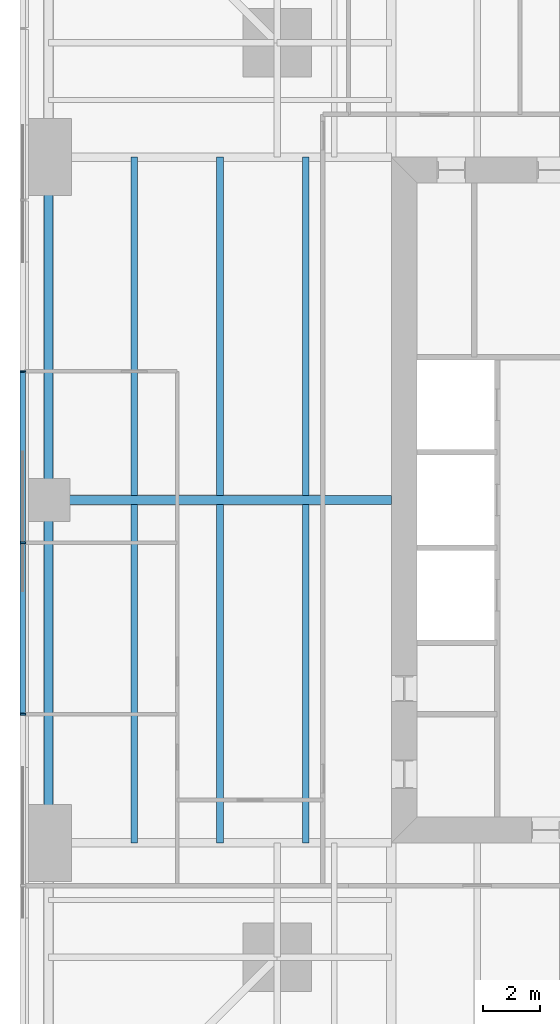
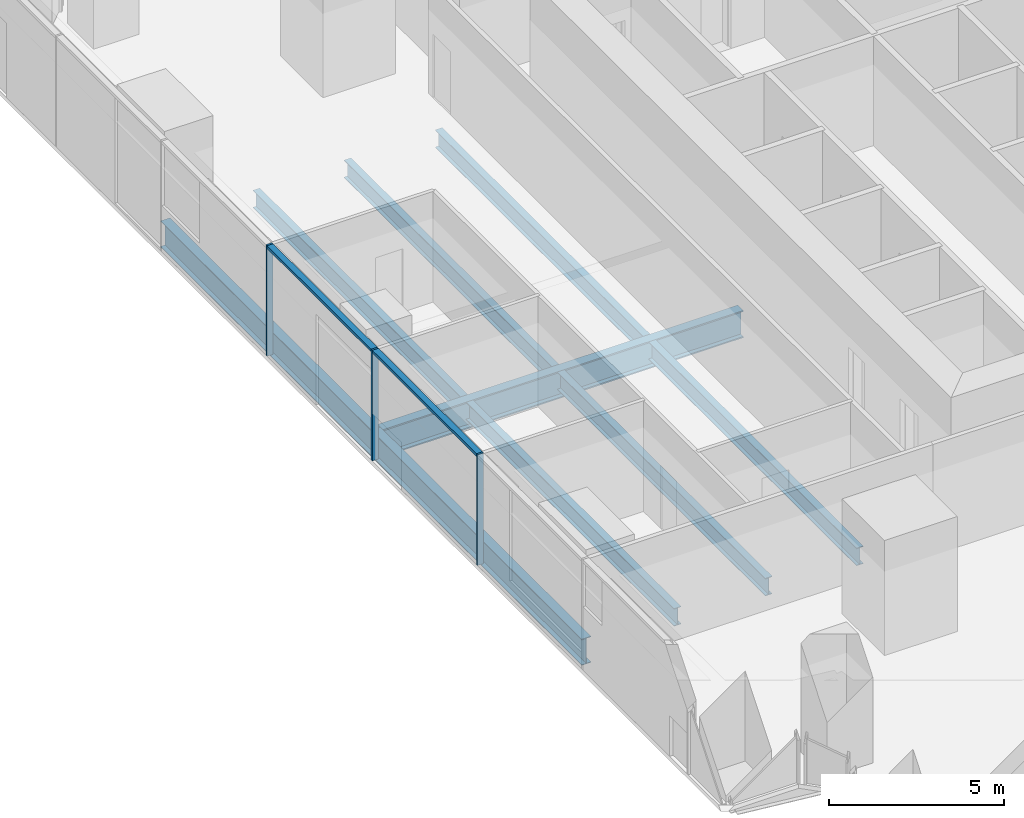
# One storey, part 4 of 14: 9 beams, 5 members, 1 element without a shape of its own.
"""IFC4 building model written with IfcOpenShell, lengths in metres."""

from ifc_helpers import new_model, si_unit, direction, frame, origin, origin_2d, place, context, subcontext, project, spatial, rectangle, i_section, extrude, material, material_profile, profile_set, type_object, element, aggregate, save


model = new_model("IFC4")

# Units and contexts
model_context = context("Model", 3, precision=1e-05, world=origin(), true_north=direction((0.0, 1.0)))
body_context = subcontext(model_context, "Body", "Model", "MODEL_VIEW")
ifc_project = project(units=[si_unit("LENGTHUNIT", "METRE"), si_unit("AREAUNIT", "SQUARE_METRE"), si_unit("VOLUMEUNIT", "CUBIC_METRE"), si_unit("PLANEANGLEUNIT", "RADIAN"), si_unit("MASSUNIT", "GRAM", prefix="KILO")], contexts=[model_context])

# Site, building, storey
site_placement = place(None, origin())
site = spatial("IfcSite", under=ifc_project, at=site_placement, CompositionType="ELEMENT")
building_placement = place(site_placement, origin())
building = spatial("IfcBuilding", under=site, at=building_placement, Name="Fenwick Lantern Interchange", CompositionType="ELEMENT")
storey_placement = place(building_placement, frame((0.0, 0.0, 35.0)))
storey = spatial("IfcBuildingStorey", under=building, at=storey_placement, Name="L07", CompositionType="ELEMENT", Elevation=35.0)

# Beams
ifc_material_1 = material(Name="Steel ASTM A992 Grade 50", Category="steel")
ifc_material_profile_1 = material_profile(ifc_material_1, i_section(OverallWidth=0.3046875, OverallDepth=0.911865234375, WebThickness=0.015869140625, FlangeThickness=0.02392578125, at=origin_2d()), Name="W36X150")
ifc_profile_set_1 = profile_set([ifc_material_profile_1], Name="Steel ASTM A992 Grade 50")
beam_type_1 = type_object("IfcBeamType", Name="EDGE BEAM W36X150", PredefinedType="SPANDREL", material=ifc_profile_set_1)
for number, where, z_axis, x_axis, name in (
    (1, (1.0, 37.0, -0.60595703125), (0.0, -1.0, 0.0), (1.0, 0.0, 0.0), "L07/FR/W/EB2"),
    (2, (1.0, 25.0, -0.60595703125), (0.0, -1.0, 0.0), (1.0, 0.0, 0.0), "L07/FR/W/EB3"),
):
    element("IfcBeam", number, at=place(storey_placement, frame(where, z_axis=z_axis, x_axis=x_axis)), inside=storey, type_object=beam_type_1, Name=name, PredefinedType="SPANDREL", context=body_context, shape_type="SweptSolid", body=[
        extrude(i_section(OverallWidth=0.3046875, OverallDepth=0.911865234375, WebThickness=0.015869140625, FlangeThickness=0.02392578125, at=origin_2d()), origin(), (0.0, 0.0, 1.0), 12.0),
    ])
ifc_material_profile_2 = material_profile(ifc_material_1, i_section(OverallWidth=0.22900390625, OverallDepth=0.612060546875, WebThickness=0.011962890625, FlangeThickness=0.01953125, at=origin_2d()), Name="W24X84")
ifc_profile_set_2 = profile_set([ifc_material_profile_2], Name="Steel ASTM A992 Grade 50")
beam_type_2 = type_object("IfcBeamType", Name="FLOOR BEAM W24X84", PredefinedType="BEAM", material=ifc_profile_set_2)
for number, where, z_axis, x_axis, name in (
    (3, (4.0, 37.0, -0.4560546875), (0.0, -1.0, 0.0), (1.0, 0.0, 0.0), "L07/FR/W/B01"),
    (4, (7.0, 37.0, -0.4560546875), (0.0, -1.0, 0.0), (1.0, 0.0, 0.0), "L07/FR/W/B02"),
    (5, (10.0, 37.0, -0.4560546875), (0.0, -1.0, 0.0), (1.0, 0.0, 0.0), "L07/FR/W/B03"),
    (6, (4.0, 24.844970703125, -0.4560546875), (0.0, -1.0, 0.0), (1.0, 0.0, 0.0), "L07/FR/W/B04"),
    (7, (7.0, 24.844970703125, -0.4560546875), (0.0, -1.0, 0.0), (1.0, 0.0, 0.0), "L07/FR/W/B05"),
    (8, (10.0, 24.844970703125, -0.4560546875), (0.0, -1.0, 0.0), (1.0, 0.0, 0.0), "L07/FR/W/B06"),
):
    element("IfcBeam", number, at=place(storey_placement, frame(where, z_axis=z_axis, x_axis=x_axis)), inside=storey, type_object=beam_type_2, Name=name, PredefinedType="BEAM", context=body_context, shape_type="SweptSolid", body=[
        extrude(i_section(OverallWidth=0.22900390625, OverallDepth=0.612060546875, WebThickness=0.011962890625, FlangeThickness=0.01953125, at=origin_2d()), origin(), (0.0, 0.0, 1.0), 11.844970703125),
    ])
ifc_material_profile_3 = material_profile(ifc_material_1, i_section(OverallWidth=0.309814453125, OverallDepth=0.949951171875, WebThickness=0.0244140625, FlangeThickness=0.0439453125, at=origin_2d()), Name="W36X256")
ifc_profile_set_3 = profile_set([ifc_material_profile_3], Name="Steel ASTM A992 Grade 50")
beam_type_3 = type_object("IfcBeamType", Name="MOMENT-CONNECTED GIRDER W36X256", PredefinedType="BEAM", material=ifc_profile_set_3)
beam_placement = place(storey_placement, frame((1.0, 25.0, -0.625), z_axis=(1.0, 0.0, 0.0), x_axis=(0.0, 1.0, 0.0)))
element("IfcBeam", 9, at=beam_placement, inside=storey, type_object=beam_type_3, Name="L07/FR/W/R02", PredefinedType="BEAM", context=body_context, shape_type="SweptSolid", body=[
    extrude(i_section(OverallWidth=0.309814453125, OverallDepth=0.949951171875, WebThickness=0.0244140625, FlangeThickness=0.0439453125, at=origin_2d()), origin(), (0.0, 0.0, 1.0), 12.0),
])

# Curtain wall, members
ifc_material_2 = material(Name="Aluminium curtain wall frame", Category="aluminium")
curtain_wall_type = type_object("IfcCurtainWallType", Name="OFFICE CURTAIN WALL", PredefinedType="USERDEFINED", material=ifc_material_2)
curtain_wall_placement = place(storey_placement, origin())
curtain_wall = element("IfcCurtainWall", 10, at=curtain_wall_placement, inside=storey, type_object=curtain_wall_type, Name="Office curtain wall 13", ObjectType="OFFICE CURTAIN WALL", PredefinedType="USERDEFINED")
ifc_material_3 = material(Name="Aluminium extrusion", Category="aluminium")
ifc_material_profile_4 = material_profile(ifc_material_3, rectangle(XDim=0.199951171875, YDim=0.06494140625, at=origin_2d()), Name="OFFICE CURTAIN WALL MULLION 65 X 200")
ifc_profile_set_4 = profile_set([ifc_material_profile_4], Name="Aluminium extrusion")
member_type_1 = type_object("IfcMemberType", Name="OFFICE CURTAIN WALL MULLION 65 X 200", PredefinedType="MULLION", material=ifc_profile_set_4)
member_1_placement = place(storey_placement, frame((0.10009765625, 29.5, 0.0), z_axis=(0.0, 0.0, 1.0), x_axis=(1.0, 0.0, 0.0)))
member_1 = element("IfcMember", 11, at=member_1_placement, type_object=member_type_1, Name="L07/CW/13/M03", PredefinedType="MULLION", context=body_context, shape_type="SweptSolid", body=[
    extrude(rectangle(XDim=0.199951171875, YDim=0.06494140625, at=origin_2d()), origin(), (0.0, 0.0, 1.0), 3.85009765625),
])
member_2_placement = place(storey_placement, frame((0.10009765625, 23.5, 0.0), z_axis=(0.0, 0.0, 1.0), x_axis=(1.0, 0.0, 0.0)))
member_2 = element("IfcMember", 12, at=member_2_placement, type_object=member_type_1, Name="L07/CW/13/M04", PredefinedType="MULLION", context=body_context, shape_type="SweptSolid", body=[
    extrude(rectangle(XDim=0.199951171875, YDim=0.06494140625, at=origin_2d()), origin(), (0.0, 0.0, 1.0), 3.85009765625),
])
member_3_placement = place(storey_placement, frame((0.10009765625, 17.5, 0.0), z_axis=(0.0, 0.0, 1.0), x_axis=(1.0, 0.0, 0.0)))
member_3 = element("IfcMember", 13, at=member_3_placement, type_object=member_type_1, Name="L07/CW/13/M05", PredefinedType="MULLION", context=body_context, shape_type="SweptSolid", body=[
    extrude(rectangle(XDim=0.199951171875, YDim=0.06494140625, at=origin_2d()), origin(), (0.0, 0.0, 1.0), 3.85009765625),
])
ifc_material_profile_5 = material_profile(ifc_material_3, rectangle(XDim=0.199951171875, YDim=0.10009765625, at=origin_2d()), Name="OFFICE CURTAIN WALL TRANSOM 100 X 200")
ifc_profile_set_5 = profile_set([ifc_material_profile_5], Name="Aluminium extrusion")
member_type_2 = type_object("IfcMemberType", Name="OFFICE CURTAIN WALL TRANSOM 100 X 200", PredefinedType="MULLION", material=ifc_profile_set_5)
member_4_placement = place(storey_placement, frame((0.10009765625, 29.467529296875, 3.800048828125), z_axis=(0.0, -1.0, 0.0), x_axis=(1.0, 0.0, 0.0)))
member_4 = element("IfcMember", 14, at=member_4_placement, type_object=member_type_2, Name="L07/CW/13/T03", PredefinedType="MULLION", context=body_context, shape_type="SweptSolid", body=[
    extrude(rectangle(XDim=0.199951171875, YDim=0.10009765625, at=origin_2d()), origin(), (0.0, 0.0, 1.0), 5.93505859375),
])
member_5_placement = place(storey_placement, frame((0.10009765625, 23.467529296875, 3.800048828125), z_axis=(0.0, -1.0, 0.0), x_axis=(1.0, 0.0, 0.0)))
member_5 = element("IfcMember", 15, at=member_5_placement, type_object=member_type_2, Name="L07/CW/13/T04", PredefinedType="MULLION", context=body_context, shape_type="SweptSolid", body=[
    extrude(rectangle(XDim=0.199951171875, YDim=0.10009765625, at=origin_2d()), origin(), (0.0, 0.0, 1.0), 5.93505859375),
])
aggregate(curtain_wall, [member_1, member_2, member_3, member_4, member_5])

save(model, "model.ifc")
